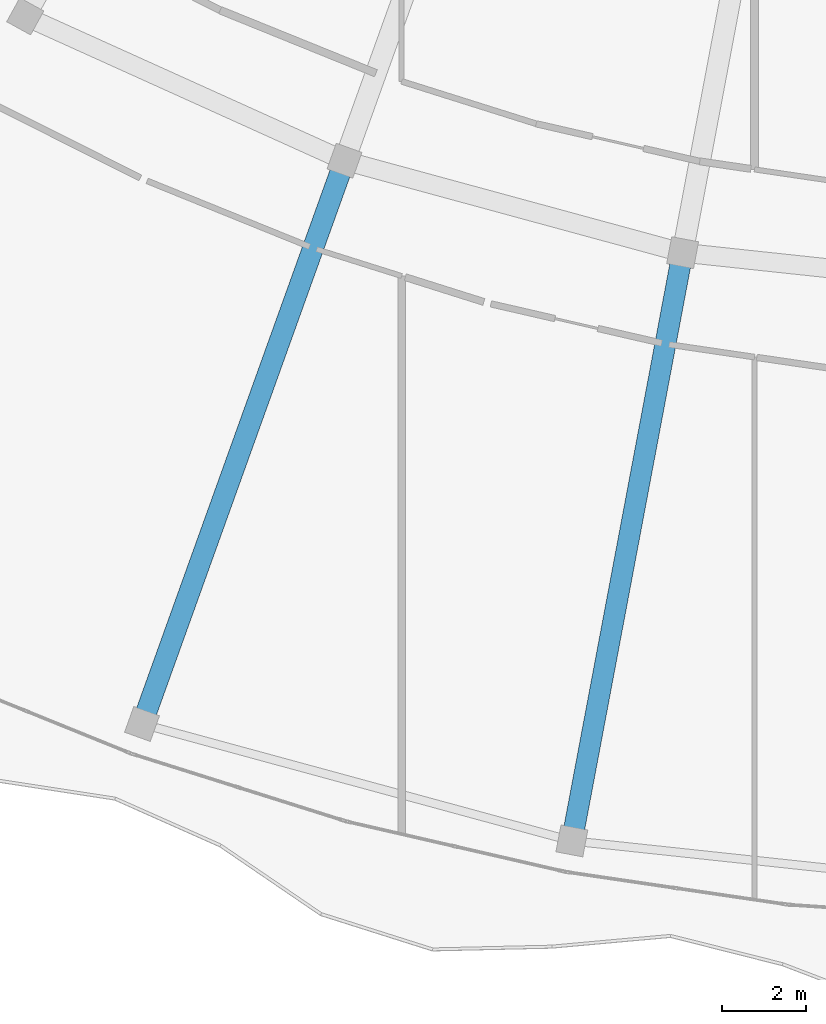
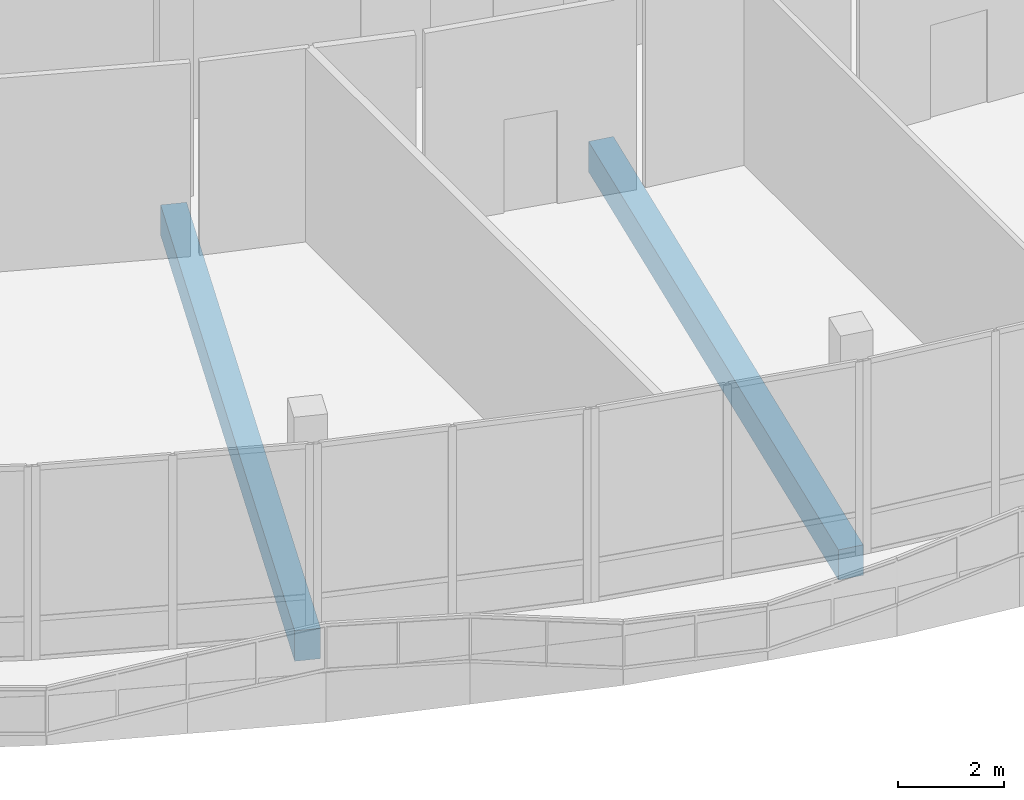
# One storey, part 15 of 155: 2 beams.
"""IFC4 building model written with IfcOpenShell, lengths in metres."""

from ifc_helpers import new_model, si_unit, direction, frame, origin, origin_2d, place, context, subcontext, project, spatial, rectangle, extrude, material, material_profile, profile_set, type_object, element, save


model = new_model("IFC4")

# Units and contexts
model_context = context("Model", 3, precision=1e-05, world=origin(), true_north=direction((0.0, 1.0)))
body_context = subcontext(model_context, "Body", "Model", "MODEL_VIEW")
ifc_project = project(units=[si_unit("LENGTHUNIT", "METRE"), si_unit("AREAUNIT", "SQUARE_METRE"), si_unit("VOLUMEUNIT", "CUBIC_METRE"), si_unit("PLANEANGLEUNIT", "RADIAN"), si_unit("MASSUNIT", "GRAM", prefix="KILO")], contexts=[model_context])

# Site, building, storey
site_placement = place(None, origin())
site = spatial("IfcSite", under=ifc_project, at=site_placement, CompositionType="ELEMENT")
building_placement = place(site_placement, origin())
building = spatial("IfcBuilding", under=site, at=building_placement, Name="Selatvlak General Hospital", CompositionType="ELEMENT")
storey_placement = place(building_placement, frame((0.0, 0.0, 10.199951171875)))
storey = spatial("IfcBuildingStorey", under=building, at=storey_placement, Name="L02", CompositionType="ELEMENT", Elevation=10.199951171875)

# Beams
ifc_material = material(Name="Concrete C40/50", Category="concrete")
ifc_material_profile = material_profile(ifc_material, rectangle(XDim=0.5, YDim=0.699951171875, at=origin_2d()), Name="RC-BM 500x700")
ifc_profile_set = profile_set([ifc_material_profile], Name="Concrete C40/50")
beam_type = type_object("IfcBeamType", Name="BM-G03", PredefinedType="BEAM", material=ifc_profile_set)
for number, where, z_axis, x_axis, name in (
    (1, (38.239013671875, 30.095947265625, -0.704833984375), (-0.338253491381, -0.941055033231, 0.0), (0.941055033231, -0.338253491381, 0.0), "Beam BMR-L02-1108"),
    (2, (46.2880859375, 27.906005859375, -0.704833984375), (-0.184983631041, -0.982741601972, 0.0), (0.982741601972, -0.184983631041, 0.0), "Beam BMR-L02-1110"),
):
    element("IfcBeam", number, at=place(storey_placement, frame(where, z_axis=z_axis, x_axis=x_axis)), inside=storey, type_object=beam_type, Name=name, PredefinedType="BEAM", context=body_context, shape_type="SweptSolid", body=[
        extrude(rectangle(XDim=0.5, YDim=0.699951171875, at=origin_2d()), origin(), (0.0, 0.0, 1.0), 14.249755859375),
    ])

save(model, "model.ifc")
